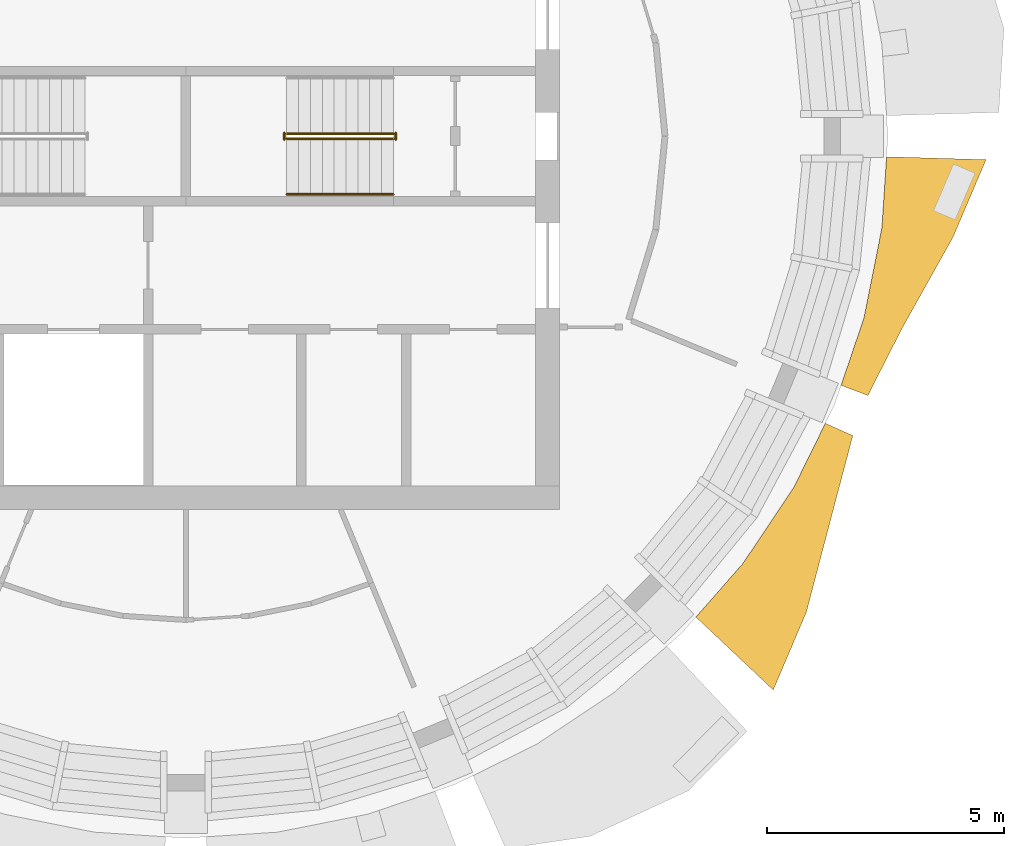
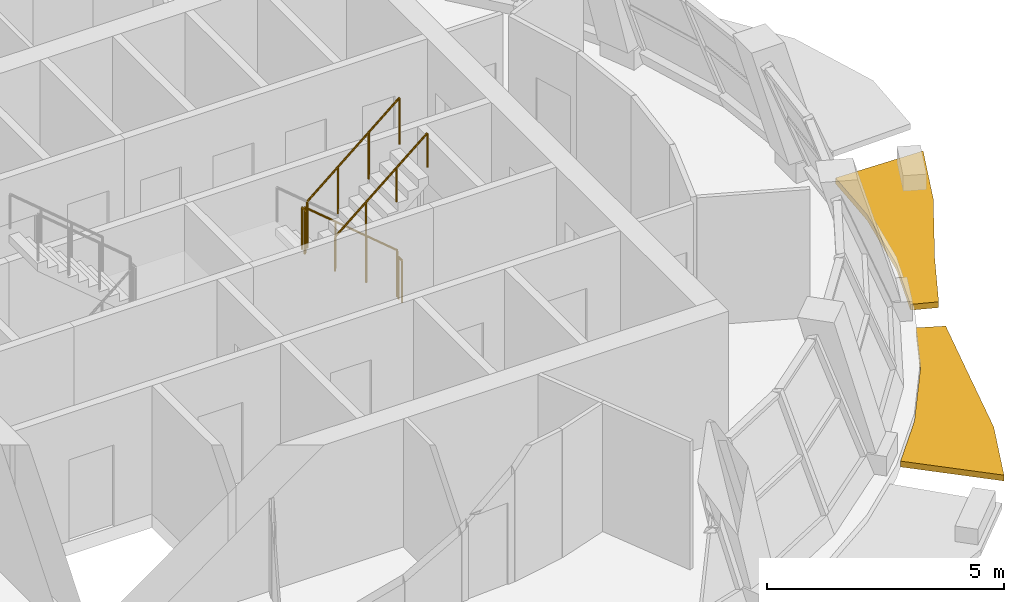
# One storey, part 10 of 12: 5 railings, 2 shading devices.
"""IFC4 building model written with IfcOpenShell, lengths in metres."""

from ifc_helpers import new_model, si_unit, direction, frame, origin, origin_2d, place, context, subcontext, project, spatial, polyline, circle, outline, extrude, material, type_object, element, save


model = new_model("IFC4")

# Units and contexts
model_context = context("Model", 3, precision=1e-05, world=origin(), true_north=direction((0.0, 1.0)))
body_context = subcontext(model_context, "Body", "Model", "MODEL_VIEW")
ifc_project = project(units=[si_unit("LENGTHUNIT", "METRE"), si_unit("AREAUNIT", "SQUARE_METRE"), si_unit("VOLUMEUNIT", "CUBIC_METRE"), si_unit("PLANEANGLEUNIT", "RADIAN"), si_unit("MASSUNIT", "GRAM", prefix="KILO")], contexts=[model_context])

# Site, building, storey
site_placement = place(None, origin())
site = spatial("IfcSite", under=ifc_project, at=site_placement, CompositionType="ELEMENT")
building_placement = place(site_placement, origin())
building = spatial("IfcBuilding", under=site, at=building_placement, Name="Polderwave Tower", CompositionType="ELEMENT")
storey_placement = place(building_placement, frame((0.0, 0.0, 231.199951171875)))
storey = spatial("IfcBuildingStorey", under=building, at=storey_placement, Name="L63", CompositionType="ELEMENT", Elevation=231.199951171875)

# Railings
ifc_material_1 = material(Name="Stainless steel", Category="steel")
railing_type_1 = type_object("IfcRailingType", Name="Stair guard 1100", PredefinedType="GUARDRAIL", material=ifc_material_1)
railing_1_placement = place(storey_placement, frame((4.3740234375, 0.051025390625, 0.08984375)))
element("IfcRailing", 1, at=railing_1_placement, inside=storey, type_object=railing_type_1, Name="L63 ST-B stair guard 1", PredefinedType="GUARDRAIL", context=body_context, shape_type="SweptSolid", body=[
    extrude(circle(Radius=0.02392578125, at=origin_2d()), frame((0.0, 0.0, 1.1962890625), z_axis=(-0.765681950559, 0.0, 0.643219364283), x_axis=(0.0, -1.0, 0.0)), (0.0, 0.0, 1.0), 2.9384765625),
    extrude(circle(Radius=0.02392578125, at=origin_2d()), origin(), (0.0, 0.0, 1.0), 1.172119140625),
    extrude(circle(Radius=0.02392578125, at=origin_2d()), frame((-0.75, 0.0, 0.630126953125)), (0.0, 0.0, 1.0), 1.172119140625),
    extrude(circle(Radius=0.02392578125, at=origin_2d()), frame((-1.5, 0.0, 1.260009765625)), (0.0, 0.0, 1.0), 1.172119140625),
    extrude(circle(Radius=0.02392578125, at=origin_2d()), frame((-2.25, 0.0, 1.89013671875)), (0.0, 0.0, 1.0), 1.172119140625),
])
railing_2_placement = place(storey_placement, frame((2.073974609375, 0.074951171875, 2.10009765625)))
element("IfcRailing", 2, at=railing_2_placement, inside=storey, type_object=railing_type_1, Name="L63 ST-B stair guard 2", PredefinedType="GUARDRAIL", context=body_context, shape_type="SweptSolid", body=[
    extrude(circle(Radius=0.02392578125, at=origin_2d()), frame((0.0, 0.0, 1.076171875), z_axis=(0.0, -1.0, 0.0), x_axis=(1.0, 0.0, 0.0)), (0.0, 0.0, 1.0), 0.14990234375),
    extrude(circle(Radius=0.02099609375, at=origin_2d()), origin(), (0.0, 0.0, 1.0), 1.052001953125),
    extrude(circle(Radius=0.02099609375, at=origin_2d()), frame((0.0, -0.14990234375, 0.0)), (0.0, 0.0, 1.0), 1.052001953125),
])
railing_3_placement = place(storey_placement, frame((2.1240234375, -0.051025390625, 2.18994140625)))
element("IfcRailing", 3, at=railing_3_placement, inside=storey, type_object=railing_type_1, Name="L63 ST-B stair guard 3", PredefinedType="GUARDRAIL", context=body_context, shape_type="SweptSolid", body=[
    extrude(circle(Radius=0.02392578125, at=origin_2d()), frame((0.0, 0.0, 1.1962890625), z_axis=(0.765722869108, 0.0, 0.643170652101), x_axis=(0.0, 1.0, 0.0)), (0.0, 0.0, 1.0), 2.9384765625),
    extrude(circle(Radius=0.02392578125, at=origin_2d()), origin(), (0.0, 0.0, 1.0), 1.172119140625),
    extrude(circle(Radius=0.02392578125, at=origin_2d()), frame((0.75, 0.0, 0.6298828125)), (0.0, 0.0, 1.0), 1.172119140625),
    extrude(circle(Radius=0.02392578125, at=origin_2d()), frame((1.5, 0.0, 1.260009765625)), (0.0, 0.0, 1.0), 1.172119140625),
    extrude(circle(Radius=0.02392578125, at=origin_2d()), frame((2.25, 0.0, 1.889892578125)), (0.0, 0.0, 1.0), 1.172119140625),
])
railing_4_placement = place(storey_placement, frame((4.424072265625, 0.074951171875, 0.0)))
element("IfcRailing", 4, at=railing_4_placement, inside=storey, type_object=railing_type_1, Name="L63 ST-B stair guard 4", PredefinedType="GUARDRAIL", context=body_context, shape_type="SweptSolid", body=[
    extrude(circle(Radius=0.02392578125, at=origin_2d()), frame((0.0, 0.0, 1.076171875), z_axis=(0.0, -1.0, 0.0), x_axis=(1.0, 0.0, 0.0)), (0.0, 0.0, 1.0), 0.14990234375),
    extrude(circle(Radius=0.02099609375, at=origin_2d()), origin(), (0.0, 0.0, 1.0), 1.052001953125),
    extrude(circle(Radius=0.02099609375, at=origin_2d()), frame((0.0, -0.14990234375, 0.0)), (0.0, 0.0, 1.0), 1.052001953125),
])
railing_type_2 = type_object("IfcRailingType", Name="Stair handrail 900", PredefinedType="HANDRAIL", material=ifc_material_1)
railing_5_placement = place(storey_placement, frame((2.1240234375, -1.22509765625, 2.31005859375)))
element("IfcRailing", 5, at=railing_5_placement, inside=storey, type_object=railing_type_2, Name="L63 ST-B stair handrail 2", PredefinedType="HANDRAIL", context=body_context, shape_type="SweptSolid", body=[
    extrude(circle(Radius=0.02392578125, at=origin_2d()), frame((0.0, 0.0, 0.8759765625), z_axis=(0.765722869108, 0.0, 0.643170652101), x_axis=(0.0, 1.0, 0.0)), (0.0, 0.0, 1.0), 2.9384765625),
    extrude(circle(Radius=0.02099609375, at=origin_2d()), origin(), (0.0, 0.0, 1.0), 0.851806640625),
    extrude(circle(Radius=0.02099609375, at=origin_2d()), frame((0.75, 0.0, 0.6298828125)), (0.0, 0.0, 1.0), 0.851806640625),
    extrude(circle(Radius=0.02099609375, at=origin_2d()), frame((1.5, 0.0, 1.260009765625)), (0.0, 0.0, 1.0), 0.851806640625),
    extrude(circle(Radius=0.02099609375, at=origin_2d()), frame((2.25, 0.0, 1.889892578125)), (0.0, 0.0, 1.0), 0.851806640625),
])

# Shading devices
ifc_material_2 = material(Name="Terracotta", Category="masonry")
shading_device_type = type_object("IfcShadingDeviceType", Name="Terracotta sunshade band", PredefinedType="USERDEFINED", material=ifc_material_2)
shading_device_1_placement = place(storey_placement, frame((0.0, 0.0, -0.349853515625)))
element("IfcShadingDevice", 6, at=shading_device_1_placement, inside=storey, type_object=shading_device_type, Name="Sunshade band L63 15", ObjectType="SUNSHADE", PredefinedType="USERDEFINED", context=body_context, shape_type="SweptSolid", body=[
    extrude(outline(polyline([(10.75146484375, -10.138916015625), (11.74169921875, -9.009765625), (12.817138671875, -7.39990234375), (13.4814453125, -6.052978515625), (14.060302734375, -6.31298828125), (13.646484375, -7.878662109375), (13.080322265625, -10.037109375), (12.382568359375, -11.677001953125), (10.75146484375, -10.138916015625)])), origin(), (0.0, 0.0, 1.0), 0.14990234375),
])
shading_device_2_placement = place(storey_placement, frame((0.0, 0.0, -0.349853515625)))
element("IfcShadingDevice", 7, at=shading_device_2_placement, inside=storey, type_object=shading_device_type, Name="Sunshade band L63 16", ObjectType="SUNSHADE", PredefinedType="USERDEFINED", context=body_context, shape_type="SweptSolid", body=[
    extrude(outline(polyline([(13.81298828125, -5.252685546875), (14.295654296875, -3.83056640625), (14.67333984375, -1.931884765625), (14.771484375, -0.43310546875), (16.869140625, -0.49462890625), (16.1728515625, -2.129150390625), (15.10107421875, -4.04638671875), (14.37744140625, -5.46728515625), (13.81298828125, -5.252685546875)])), origin(), (0.0, 0.0, 1.0), 0.14990234375),
])

save(model, "model.ifc")
